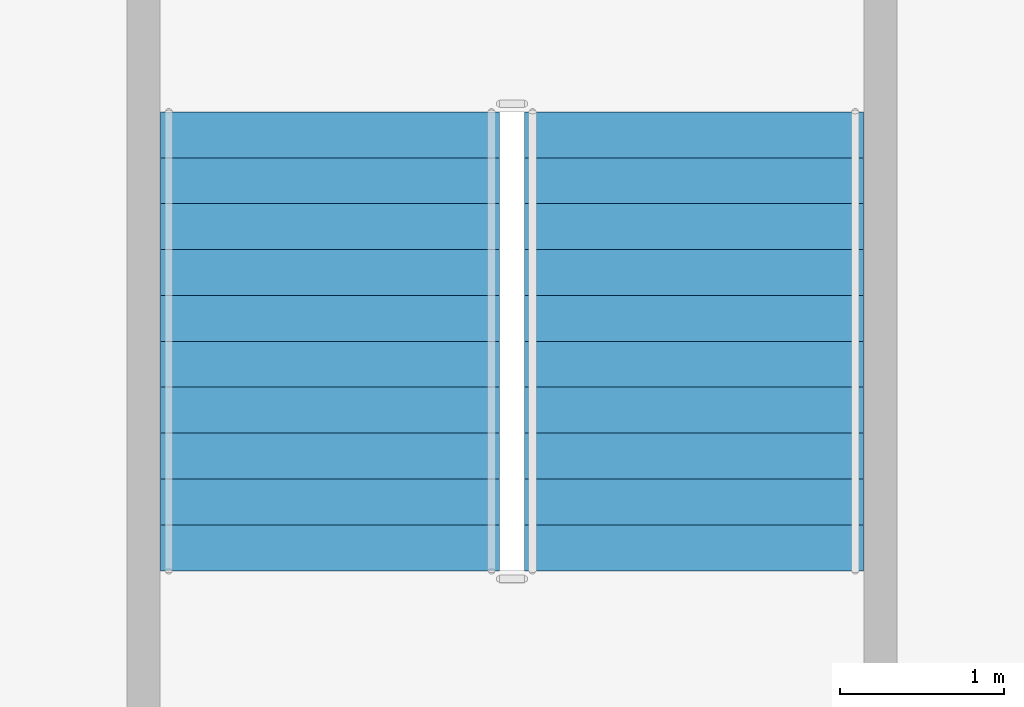
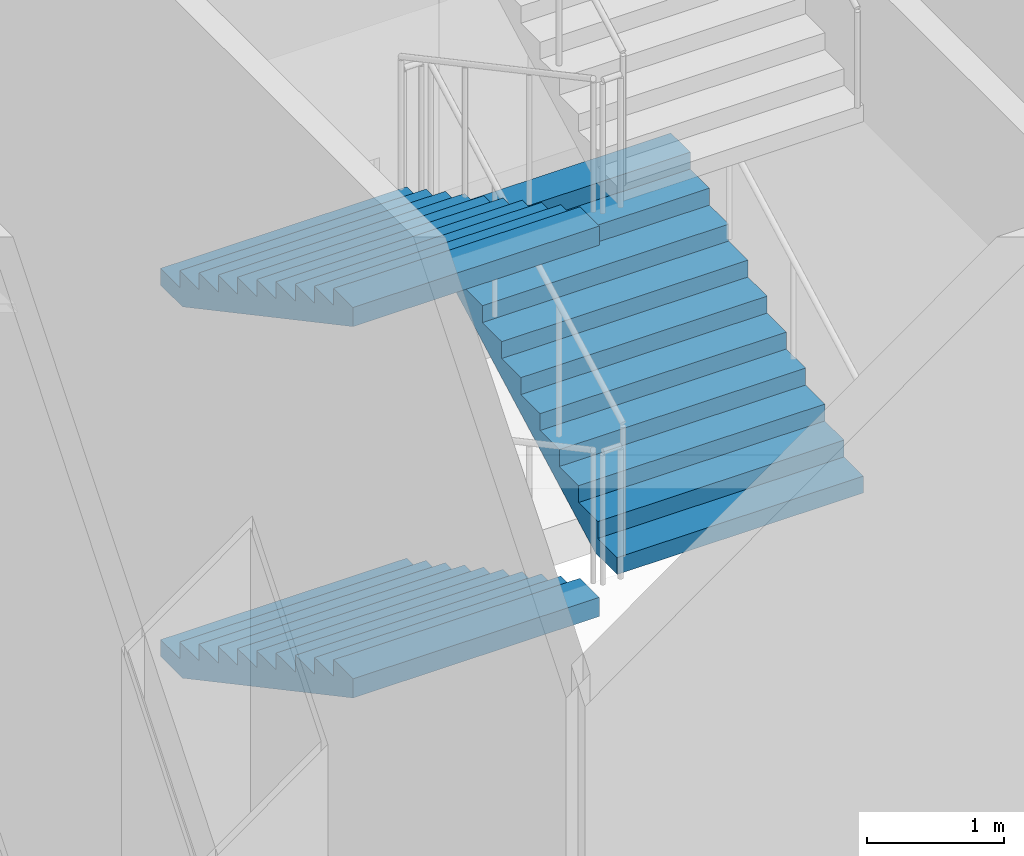
# One storey, part 17 of 26: 3 stair flights, 1 element without a shape of its own.
"""IFC4 building model written with IfcOpenShell, lengths in metres."""

from ifc_helpers import new_model, si_unit, direction, frame, origin, place, context, subcontext, project, spatial, polygons, material, type_object, element, aggregate, save


model = new_model("IFC4")

# Units and contexts
model_context = context("Model", 3, precision=1e-05, world=origin(), true_north=direction((0.0, 1.0)))
body_context = subcontext(model_context, "Body", "Model", "MODEL_VIEW")
ifc_project = project(units=[si_unit("LENGTHUNIT", "METRE"), si_unit("AREAUNIT", "SQUARE_METRE"), si_unit("VOLUMEUNIT", "CUBIC_METRE"), si_unit("PLANEANGLEUNIT", "RADIAN"), si_unit("MASSUNIT", "GRAM", prefix="KILO")], contexts=[model_context])

# Site, building, storey
site_placement = place(None, origin())
site = spatial("IfcSite", under=ifc_project, at=site_placement, CompositionType="ELEMENT")
building_placement = place(site_placement, origin())
building = spatial("IfcBuilding", under=site, at=building_placement, Name="Caravel Reach Hotel and Residences", CompositionType="ELEMENT")
storey_placement = place(building_placement, frame((0.0, 0.0, 17.39990234375)))
storey = spatial("IfcBuildingStorey", under=building, at=storey_placement, Name="L03", CompositionType="ELEMENT", Elevation=17.39990234375)

# Stair, stair flights
ifc_material_1 = material(Name="Concrete C40", Category="concrete")
stair_type = type_object("IfcStairType", Name="Core stair", PredefinedType="HALF_TURN_STAIR", material=ifc_material_1)
stair_placement = place(storey_placement, origin())
stair = element("IfcStair", 1, at=stair_placement, inside=storey, type_object=stair_type, Name="L03 Exit stair P2", PredefinedType="HALF_TURN_STAIR")
ifc_material_2 = material(Name="Concrete C40", Category="concrete")
stair_flight_type = type_object("IfcStairFlightType", Name="Core stair flight", PredefinedType="STRAIGHT", material=ifc_material_2)
stair_flight_1_placement = place(storey_placement, frame((52.889892578125, 41.010009765625, 0.0), z_axis=(0.0, 0.0, 1.0), x_axis=(0.0, -1.0, 0.0)))
stair_flight_1 = element("IfcStairFlight", 2, at=stair_flight_1_placement, type_object=stair_flight_type, Name="ST-P2 flight 1", NumberOfRisers=11, NumberOfTreads=10, PredefinedType="STRAIGHT", RiserHeight=0.15, TreadLength=0.28, context=body_context, shape_type="Tessellation", body=[
    polygons([(0.3174408016601862, 1.0350341796875, 0.0), (0.3174408016601862, 0.6900227864583333, 0.0), (0.3174408016601862, 0.34501139322916663, 0.0), (0.3174408016601862, 0.0, 0.0), (0.3174408016601862, -0.34501139322916674, 0.0), (0.3174408016601862, -0.6900227864583333, 0.0), (0.3174408016601862, -1.0350341796875, 0.0), (2.801, 1.0350341796875, 1.329942427682043), (2.801, 0.6900227864583333, 1.329942427682043), (2.801, 0.34501139322916663, 1.329942427682043), (2.801, 0.0, 1.329942427682043), (2.801, -0.34501139322916674, 1.329942427682043), (2.801, -0.6900227864583333, 1.329942427682043), (2.801, -1.0350341796875, 1.329942427682043), (2.801, 1.0350341796875, 1.5), (2.801, 0.6900227864583333, 1.5), (2.801, 0.34501139322916663, 1.5), (2.801, 0.0, 1.5), (2.801, -0.34501139322916674, 1.5), (2.801, -0.6900227864583333, 1.5), (2.801, -1.0350341796875, 1.5), (2.5200000000000005, 1.0350341796875, 1.5), (2.5200000000000005, 0.6900227864583333, 1.5), (2.5200000000000005, 0.34501139322916663, 1.5), (2.5200000000000005, 0.0, 1.5), (2.5200000000000005, -0.34501139322916674, 1.5), (2.5200000000000005, -0.6900227864583333, 1.5), (2.5200000000000005, -1.0350341796875, 1.5), (2.5200000000000005, 1.0350341796875, 1.3499999999999999), (2.5200000000000005, 0.6900227864583333, 1.3499999999999999), (2.5200000000000005, 0.34501139322916663, 1.3499999999999999), (2.5200000000000005, 0.0, 1.3499999999999999), (2.5200000000000005, -0.34501139322916674, 1.3499999999999999), (2.5200000000000005, -0.6900227864583333, 1.3499999999999999), (2.5200000000000005, -1.0350341796875, 1.3499999999999999), (2.24, 1.0350341796875, 1.3499999999999999), (2.24, 0.6900227864583333, 1.3499999999999999), (2.24, 0.34501139322916663, 1.3499999999999999), (2.24, 0.0, 1.3499999999999999), (2.24, -0.34501139322916674, 1.3499999999999999), (2.24, -0.6900227864583333, 1.3499999999999999), (2.24, -1.0350341796875, 1.3499999999999999), (2.24, 1.0350341796875, 1.2), (2.24, 0.6900227864583333, 1.2), (2.24, 0.34501139322916663, 1.2), (2.24, 0.0, 1.2), (2.24, -0.34501139322916674, 1.2), (2.24, -0.6900227864583333, 1.2), (2.24, -1.0350341796875, 1.2), (1.9600000000000002, 1.0350341796875, 1.2), (1.9600000000000002, 0.6900227864583333, 1.2), (1.9600000000000002, 0.34501139322916663, 1.2), (1.9600000000000002, 0.0, 1.2), (1.9600000000000002, -0.34501139322916674, 1.2), (1.9600000000000002, -0.6900227864583333, 1.2), (1.9600000000000002, -1.0350341796875, 1.2), (1.9600000000000002, 1.0350341796875, 1.05), (1.9600000000000002, 0.6900227864583333, 1.05), (1.9600000000000002, 0.34501139322916663, 1.05), (1.9600000000000002, 0.0, 1.05), (1.9600000000000002, -0.34501139322916674, 1.05), (1.9600000000000002, -0.6900227864583333, 1.05), (1.9600000000000002, -1.0350341796875, 1.05), (1.6800000000000002, 1.0350341796875, 1.05), (1.6800000000000002, 0.6900227864583333, 1.05), (1.6800000000000002, 0.34501139322916663, 1.05), (1.6800000000000002, 0.0, 1.05), (1.6800000000000002, -0.34501139322916674, 1.05), (1.6800000000000002, -0.6900227864583333, 1.05), (1.6800000000000002, -1.0350341796875, 1.05), (1.6800000000000002, 1.0350341796875, 0.8999999999999999), (1.6800000000000002, 0.6900227864583333, 0.8999999999999999), (1.6800000000000002, 0.34501139322916663, 0.8999999999999999), (1.6800000000000002, 0.0, 0.8999999999999999), (1.6800000000000002, -0.34501139322916674, 0.8999999999999999), (1.6800000000000002, -0.6900227864583333, 0.8999999999999999), (1.6800000000000002, -1.0350341796875, 0.8999999999999999), (1.4000000000000001, 1.0350341796875, 0.8999999999999999), (1.4000000000000001, 0.6900227864583333, 0.8999999999999999), (1.4000000000000001, 0.34501139322916663, 0.8999999999999999), (1.4000000000000001, 0.0, 0.8999999999999999), (1.4000000000000001, -0.34501139322916674, 0.8999999999999999), (1.4000000000000001, -0.6900227864583333, 0.8999999999999999), (1.4000000000000001, -1.0350341796875, 0.8999999999999999), (1.4000000000000001, 1.0350341796875, 0.75), (1.4000000000000001, 0.6900227864583333, 0.75), (1.4000000000000001, 0.34501139322916663, 0.75), (1.4000000000000001, 0.0, 0.75), (1.4000000000000001, -0.34501139322916674, 0.75), (1.4000000000000001, -0.6900227864583333, 0.75), (1.4000000000000001, -1.0350341796875, 0.75), (1.12, 1.0350341796875, 0.75), (1.12, 0.6900227864583333, 0.75), (1.12, 0.34501139322916663, 0.75), (1.12, 0.0, 0.75), (1.12, -0.34501139322916674, 0.75), (1.12, -0.6900227864583333, 0.75), (1.12, -1.0350341796875, 0.75), (1.12, 1.0350341796875, 0.6), (1.12, 0.6900227864583333, 0.6), (1.12, 0.34501139322916663, 0.6), (1.12, 0.0, 0.6), (1.12, -0.34501139322916674, 0.6), (1.12, -0.6900227864583333, 0.6), (1.12, -1.0350341796875, 0.6), (0.8400000000000001, 1.0350341796875, 0.6), (0.8400000000000001, 0.6900227864583333, 0.6), (0.8400000000000001, 0.34501139322916663, 0.6), (0.8400000000000001, 0.0, 0.6), (0.8400000000000001, -0.34501139322916674, 0.6), (0.8400000000000001, -0.6900227864583333, 0.6), (0.8400000000000001, -1.0350341796875, 0.6), (0.8400000000000001, 1.0350341796875, 0.44999999999999996), (0.8400000000000001, 0.6900227864583333, 0.44999999999999996), (0.8400000000000001, 0.34501139322916663, 0.44999999999999996), (0.8400000000000001, 0.0, 0.44999999999999996), (0.8400000000000001, -0.34501139322916674, 0.44999999999999996), (0.8400000000000001, -0.6900227864583333, 0.44999999999999996), (0.8400000000000001, -1.0350341796875, 0.44999999999999996), (0.56, 1.0350341796875, 0.44999999999999996), (0.56, 0.6900227864583333, 0.44999999999999996), (0.56, 0.34501139322916663, 0.44999999999999996), (0.56, 0.0, 0.44999999999999996), (0.56, -0.34501139322916674, 0.44999999999999996), (0.56, -0.6900227864583333, 0.44999999999999996), (0.56, -1.0350341796875, 0.44999999999999996), (0.56, 1.0350341796875, 0.3), (0.56, 0.6900227864583333, 0.3), (0.56, 0.34501139322916663, 0.3), (0.56, 0.0, 0.3), (0.56, -0.34501139322916674, 0.3), (0.56, -0.6900227864583333, 0.3), (0.56, -1.0350341796875, 0.3), (0.28, 1.0350341796875, 0.3), (0.28, 0.6900227864583333, 0.3), (0.28, 0.34501139322916663, 0.3), (0.28, 0.0, 0.3), (0.28, -0.34501139322916674, 0.3), (0.28, -0.6900227864583333, 0.3), (0.28, -1.0350341796875, 0.3), (0.28, 1.0350341796875, 0.15), (0.28, 0.6900227864583333, 0.15), (0.28, 0.34501139322916663, 0.15), (0.28, 0.0, 0.15), (0.28, -0.34501139322916674, 0.15), (0.28, -0.6900227864583333, 0.15), (0.28, -1.0350341796875, 0.15), (-0.001, 1.0350341796875, 0.15), (-0.001, 0.6900227864583333, 0.15), (-0.001, 0.34501139322916663, 0.15), (-0.001, 0.0, 0.15), (-0.001, -0.34501139322916674, 0.15), (-0.001, -0.6900227864583333, 0.15), (-0.001, -1.0350341796875, 0.15), (-0.001, 1.0350341796875, 0.0), (-0.001, 0.6900227864583333, 0.0), (-0.001, 0.34501139322916663, 0.0), (-0.001, 0.0, 0.0), (-0.001, -0.34501139322916674, 0.0), (-0.001, -0.6900227864583333, 0.0), (-0.001, -1.0350341796875, 0.0)], [[[155, 148, 141, 134, 127, 120, 113, 106, 99, 92, 85, 78, 71, 64, 57, 50, 43, 36, 29, 22, 15, 8, 1]], [[7, 14, 21, 28, 35, 42, 49, 56, 63, 70, 77, 84, 91, 98, 105, 112, 119, 126, 133, 140, 147, 154, 161]], [[1, 8, 9, 2]], [[2, 9, 10, 3]], [[3, 10, 11, 4]], [[4, 11, 12, 5]], [[5, 12, 13, 6]], [[6, 13, 14, 7]], [[8, 15, 16, 9]], [[9, 16, 17, 10]], [[10, 17, 18, 11]], [[11, 18, 19, 12]], [[12, 19, 20, 13]], [[13, 20, 21, 14]], [[15, 22, 23, 16]], [[16, 23, 24, 17]], [[17, 24, 25, 18]], [[18, 25, 26, 19]], [[19, 26, 27, 20]], [[20, 27, 28, 21]], [[22, 29, 30, 23]], [[23, 30, 31, 24]], [[24, 31, 32, 25]], [[25, 32, 33, 26]], [[26, 33, 34, 27]], [[27, 34, 35, 28]], [[29, 36, 37, 30]], [[30, 37, 38, 31]], [[31, 38, 39, 32]], [[32, 39, 40, 33]], [[33, 40, 41, 34]], [[34, 41, 42, 35]], [[36, 43, 44, 37]], [[37, 44, 45, 38]], [[38, 45, 46, 39]], [[39, 46, 47, 40]], [[40, 47, 48, 41]], [[41, 48, 49, 42]], [[43, 50, 51, 44]], [[44, 51, 52, 45]], [[45, 52, 53, 46]], [[46, 53, 54, 47]], [[47, 54, 55, 48]], [[48, 55, 56, 49]], [[50, 57, 58, 51]], [[51, 58, 59, 52]], [[52, 59, 60, 53]], [[53, 60, 61, 54]], [[54, 61, 62, 55]], [[55, 62, 63, 56]], [[57, 64, 65, 58]], [[58, 65, 66, 59]], [[59, 66, 67, 60]], [[60, 67, 68, 61]], [[61, 68, 69, 62]], [[62, 69, 70, 63]], [[64, 71, 72, 65]], [[65, 72, 73, 66]], [[66, 73, 74, 67]], [[67, 74, 75, 68]], [[68, 75, 76, 69]], [[69, 76, 77, 70]], [[71, 78, 79, 72]], [[72, 79, 80, 73]], [[73, 80, 81, 74]], [[74, 81, 82, 75]], [[75, 82, 83, 76]], [[76, 83, 84, 77]], [[78, 85, 86, 79]], [[79, 86, 87, 80]], [[80, 87, 88, 81]], [[81, 88, 89, 82]], [[82, 89, 90, 83]], [[83, 90, 91, 84]], [[85, 92, 93, 86]], [[86, 93, 94, 87]], [[87, 94, 95, 88]], [[88, 95, 96, 89]], [[89, 96, 97, 90]], [[90, 97, 98, 91]], [[92, 99, 100, 93]], [[93, 100, 101, 94]], [[94, 101, 102, 95]], [[95, 102, 103, 96]], [[96, 103, 104, 97]], [[97, 104, 105, 98]], [[99, 106, 107, 100]], [[100, 107, 108, 101]], [[101, 108, 109, 102]], [[102, 109, 110, 103]], [[103, 110, 111, 104]], [[104, 111, 112, 105]], [[106, 113, 114, 107]], [[107, 114, 115, 108]], [[108, 115, 116, 109]], [[109, 116, 117, 110]], [[110, 117, 118, 111]], [[111, 118, 119, 112]], [[113, 120, 121, 114]], [[114, 121, 122, 115]], [[115, 122, 123, 116]], [[116, 123, 124, 117]], [[117, 124, 125, 118]], [[118, 125, 126, 119]], [[120, 127, 128, 121]], [[121, 128, 129, 122]], [[122, 129, 130, 123]], [[123, 130, 131, 124]], [[124, 131, 132, 125]], [[125, 132, 133, 126]], [[127, 134, 135, 128]], [[128, 135, 136, 129]], [[129, 136, 137, 130]], [[130, 137, 138, 131]], [[131, 138, 139, 132]], [[132, 139, 140, 133]], [[134, 141, 142, 135]], [[135, 142, 143, 136]], [[136, 143, 144, 137]], [[137, 144, 145, 138]], [[138, 145, 146, 139]], [[139, 146, 147, 140]], [[141, 148, 149, 142]], [[142, 149, 150, 143]], [[143, 150, 151, 144]], [[144, 151, 152, 145]], [[145, 152, 153, 146]], [[146, 153, 154, 147]], [[148, 155, 156, 149]], [[149, 156, 157, 150]], [[150, 157, 158, 151]], [[151, 158, 159, 152]], [[152, 159, 160, 153]], [[153, 160, 161, 154]], [[155, 1, 2, 156]], [[156, 2, 3, 157]], [[157, 3, 4, 158]], [[158, 4, 5, 159]], [[159, 5, 6, 160]], [[160, 6, 7, 161]]], closed=True),
])
stair_flight_2_placement = place(storey_placement, frame((55.110107421875, 38.2099609375, 1.650146484375), z_axis=(0.0, 0.0, 1.0), x_axis=(0.0, 1.0, 0.0)))
stair_flight_2 = element("IfcStairFlight", 3, at=stair_flight_2_placement, type_object=stair_flight_type, Name="ST-P2 flight 2", NumberOfRisers=11, NumberOfTreads=10, PredefinedType="STRAIGHT", RiserHeight=0.15, TreadLength=0.28, context=body_context, shape_type="Tessellation", body=[
    polygons([(0.3174408016601862, 1.0350341796875, 0.0), (0.3174408016601862, 0.6900227864583333, 0.0), (0.3174408016601862, 0.34501139322916663, 0.0), (0.3174408016601862, 0.0, 0.0), (0.3174408016601862, -0.34501139322916674, 0.0), (0.3174408016601862, -0.6900227864583333, 0.0), (0.3174408016601862, -1.0350341796875, 0.0), (2.801, 1.0350341796875, 1.329942427682043), (2.801, 0.6900227864583333, 1.329942427682043), (2.801, 0.34501139322916663, 1.329942427682043), (2.801, 0.0, 1.329942427682043), (2.801, -0.34501139322916674, 1.329942427682043), (2.801, -0.6900227864583333, 1.329942427682043), (2.801, -1.0350341796875, 1.329942427682043), (2.801, 1.0350341796875, 1.5), (2.801, 0.6900227864583333, 1.5), (2.801, 0.34501139322916663, 1.5), (2.801, 0.0, 1.5), (2.801, -0.34501139322916674, 1.5), (2.801, -0.6900227864583333, 1.5), (2.801, -1.0350341796875, 1.5), (2.5200000000000005, 1.0350341796875, 1.5), (2.5200000000000005, 0.6900227864583333, 1.5), (2.5200000000000005, 0.34501139322916663, 1.5), (2.5200000000000005, 0.0, 1.5), (2.5200000000000005, -0.34501139322916674, 1.5), (2.5200000000000005, -0.6900227864583333, 1.5), (2.5200000000000005, -1.0350341796875, 1.5), (2.5200000000000005, 1.0350341796875, 1.3499999999999999), (2.5200000000000005, 0.6900227864583333, 1.3499999999999999), (2.5200000000000005, 0.34501139322916663, 1.3499999999999999), (2.5200000000000005, 0.0, 1.3499999999999999), (2.5200000000000005, -0.34501139322916674, 1.3499999999999999), (2.5200000000000005, -0.6900227864583333, 1.3499999999999999), (2.5200000000000005, -1.0350341796875, 1.3499999999999999), (2.24, 1.0350341796875, 1.3499999999999999), (2.24, 0.6900227864583333, 1.3499999999999999), (2.24, 0.34501139322916663, 1.3499999999999999), (2.24, 0.0, 1.3499999999999999), (2.24, -0.34501139322916674, 1.3499999999999999), (2.24, -0.6900227864583333, 1.3499999999999999), (2.24, -1.0350341796875, 1.3499999999999999), (2.24, 1.0350341796875, 1.2), (2.24, 0.6900227864583333, 1.2), (2.24, 0.34501139322916663, 1.2), (2.24, 0.0, 1.2), (2.24, -0.34501139322916674, 1.2), (2.24, -0.6900227864583333, 1.2), (2.24, -1.0350341796875, 1.2), (1.9600000000000002, 1.0350341796875, 1.2), (1.9600000000000002, 0.6900227864583333, 1.2), (1.9600000000000002, 0.34501139322916663, 1.2), (1.9600000000000002, 0.0, 1.2), (1.9600000000000002, -0.34501139322916674, 1.2), (1.9600000000000002, -0.6900227864583333, 1.2), (1.9600000000000002, -1.0350341796875, 1.2), (1.9600000000000002, 1.0350341796875, 1.05), (1.9600000000000002, 0.6900227864583333, 1.05), (1.9600000000000002, 0.34501139322916663, 1.05), (1.9600000000000002, 0.0, 1.05), (1.9600000000000002, -0.34501139322916674, 1.05), (1.9600000000000002, -0.6900227864583333, 1.05), (1.9600000000000002, -1.0350341796875, 1.05), (1.6800000000000002, 1.0350341796875, 1.05), (1.6800000000000002, 0.6900227864583333, 1.05), (1.6800000000000002, 0.34501139322916663, 1.05), (1.6800000000000002, 0.0, 1.05), (1.6800000000000002, -0.34501139322916674, 1.05), (1.6800000000000002, -0.6900227864583333, 1.05), (1.6800000000000002, -1.0350341796875, 1.05), (1.6800000000000002, 1.0350341796875, 0.8999999999999999), (1.6800000000000002, 0.6900227864583333, 0.8999999999999999), (1.6800000000000002, 0.34501139322916663, 0.8999999999999999), (1.6800000000000002, 0.0, 0.8999999999999999), (1.6800000000000002, -0.34501139322916674, 0.8999999999999999), (1.6800000000000002, -0.6900227864583333, 0.8999999999999999), (1.6800000000000002, -1.0350341796875, 0.8999999999999999), (1.4000000000000001, 1.0350341796875, 0.8999999999999999), (1.4000000000000001, 0.6900227864583333, 0.8999999999999999), (1.4000000000000001, 0.34501139322916663, 0.8999999999999999), (1.4000000000000001, 0.0, 0.8999999999999999), (1.4000000000000001, -0.34501139322916674, 0.8999999999999999), (1.4000000000000001, -0.6900227864583333, 0.8999999999999999), (1.4000000000000001, -1.0350341796875, 0.8999999999999999), (1.4000000000000001, 1.0350341796875, 0.75), (1.4000000000000001, 0.6900227864583333, 0.75), (1.4000000000000001, 0.34501139322916663, 0.75), (1.4000000000000001, 0.0, 0.75), (1.4000000000000001, -0.34501139322916674, 0.75), (1.4000000000000001, -0.6900227864583333, 0.75), (1.4000000000000001, -1.0350341796875, 0.75), (1.12, 1.0350341796875, 0.75), (1.12, 0.6900227864583333, 0.75), (1.12, 0.34501139322916663, 0.75), (1.12, 0.0, 0.75), (1.12, -0.34501139322916674, 0.75), (1.12, -0.6900227864583333, 0.75), (1.12, -1.0350341796875, 0.75), (1.12, 1.0350341796875, 0.6), (1.12, 0.6900227864583333, 0.6), (1.12, 0.34501139322916663, 0.6), (1.12, 0.0, 0.6), (1.12, -0.34501139322916674, 0.6), (1.12, -0.6900227864583333, 0.6), (1.12, -1.0350341796875, 0.6), (0.8400000000000001, 1.0350341796875, 0.6), (0.8400000000000001, 0.6900227864583333, 0.6), (0.8400000000000001, 0.34501139322916663, 0.6), (0.8400000000000001, 0.0, 0.6), (0.8400000000000001, -0.34501139322916674, 0.6), (0.8400000000000001, -0.6900227864583333, 0.6), (0.8400000000000001, -1.0350341796875, 0.6), (0.8400000000000001, 1.0350341796875, 0.44999999999999996), (0.8400000000000001, 0.6900227864583333, 0.44999999999999996), (0.8400000000000001, 0.34501139322916663, 0.44999999999999996), (0.8400000000000001, 0.0, 0.44999999999999996), (0.8400000000000001, -0.34501139322916674, 0.44999999999999996), (0.8400000000000001, -0.6900227864583333, 0.44999999999999996), (0.8400000000000001, -1.0350341796875, 0.44999999999999996), (0.56, 1.0350341796875, 0.44999999999999996), (0.56, 0.6900227864583333, 0.44999999999999996), (0.56, 0.34501139322916663, 0.44999999999999996), (0.56, 0.0, 0.44999999999999996), (0.56, -0.34501139322916674, 0.44999999999999996), (0.56, -0.6900227864583333, 0.44999999999999996), (0.56, -1.0350341796875, 0.44999999999999996), (0.56, 1.0350341796875, 0.3), (0.56, 0.6900227864583333, 0.3), (0.56, 0.34501139322916663, 0.3), (0.56, 0.0, 0.3), (0.56, -0.34501139322916674, 0.3), (0.56, -0.6900227864583333, 0.3), (0.56, -1.0350341796875, 0.3), (0.28, 1.0350341796875, 0.3), (0.28, 0.6900227864583333, 0.3), (0.28, 0.34501139322916663, 0.3), (0.28, 0.0, 0.3), (0.28, -0.34501139322916674, 0.3), (0.28, -0.6900227864583333, 0.3), (0.28, -1.0350341796875, 0.3), (0.28, 1.0350341796875, 0.15), (0.28, 0.6900227864583333, 0.15), (0.28, 0.34501139322916663, 0.15), (0.28, 0.0, 0.15), (0.28, -0.34501139322916674, 0.15), (0.28, -0.6900227864583333, 0.15), (0.28, -1.0350341796875, 0.15), (-0.001, 1.0350341796875, 0.15), (-0.001, 0.6900227864583333, 0.15), (-0.001, 0.34501139322916663, 0.15), (-0.001, 0.0, 0.15), (-0.001, -0.34501139322916674, 0.15), (-0.001, -0.6900227864583333, 0.15), (-0.001, -1.0350341796875, 0.15), (-0.001, 1.0350341796875, 0.0), (-0.001, 0.6900227864583333, 0.0), (-0.001, 0.34501139322916663, 0.0), (-0.001, 0.0, 0.0), (-0.001, -0.34501139322916674, 0.0), (-0.001, -0.6900227864583333, 0.0), (-0.001, -1.0350341796875, 0.0)], [[[155, 148, 141, 134, 127, 120, 113, 106, 99, 92, 85, 78, 71, 64, 57, 50, 43, 36, 29, 22, 15, 8, 1]], [[7, 14, 21, 28, 35, 42, 49, 56, 63, 70, 77, 84, 91, 98, 105, 112, 119, 126, 133, 140, 147, 154, 161]], [[1, 8, 9, 2]], [[2, 9, 10, 3]], [[3, 10, 11, 4]], [[4, 11, 12, 5]], [[5, 12, 13, 6]], [[6, 13, 14, 7]], [[8, 15, 16, 9]], [[9, 16, 17, 10]], [[10, 17, 18, 11]], [[11, 18, 19, 12]], [[12, 19, 20, 13]], [[13, 20, 21, 14]], [[15, 22, 23, 16]], [[16, 23, 24, 17]], [[17, 24, 25, 18]], [[18, 25, 26, 19]], [[19, 26, 27, 20]], [[20, 27, 28, 21]], [[22, 29, 30, 23]], [[23, 30, 31, 24]], [[24, 31, 32, 25]], [[25, 32, 33, 26]], [[26, 33, 34, 27]], [[27, 34, 35, 28]], [[29, 36, 37, 30]], [[30, 37, 38, 31]], [[31, 38, 39, 32]], [[32, 39, 40, 33]], [[33, 40, 41, 34]], [[34, 41, 42, 35]], [[36, 43, 44, 37]], [[37, 44, 45, 38]], [[38, 45, 46, 39]], [[39, 46, 47, 40]], [[40, 47, 48, 41]], [[41, 48, 49, 42]], [[43, 50, 51, 44]], [[44, 51, 52, 45]], [[45, 52, 53, 46]], [[46, 53, 54, 47]], [[47, 54, 55, 48]], [[48, 55, 56, 49]], [[50, 57, 58, 51]], [[51, 58, 59, 52]], [[52, 59, 60, 53]], [[53, 60, 61, 54]], [[54, 61, 62, 55]], [[55, 62, 63, 56]], [[57, 64, 65, 58]], [[58, 65, 66, 59]], [[59, 66, 67, 60]], [[60, 67, 68, 61]], [[61, 68, 69, 62]], [[62, 69, 70, 63]], [[64, 71, 72, 65]], [[65, 72, 73, 66]], [[66, 73, 74, 67]], [[67, 74, 75, 68]], [[68, 75, 76, 69]], [[69, 76, 77, 70]], [[71, 78, 79, 72]], [[72, 79, 80, 73]], [[73, 80, 81, 74]], [[74, 81, 82, 75]], [[75, 82, 83, 76]], [[76, 83, 84, 77]], [[78, 85, 86, 79]], [[79, 86, 87, 80]], [[80, 87, 88, 81]], [[81, 88, 89, 82]], [[82, 89, 90, 83]], [[83, 90, 91, 84]], [[85, 92, 93, 86]], [[86, 93, 94, 87]], [[87, 94, 95, 88]], [[88, 95, 96, 89]], [[89, 96, 97, 90]], [[90, 97, 98, 91]], [[92, 99, 100, 93]], [[93, 100, 101, 94]], [[94, 101, 102, 95]], [[95, 102, 103, 96]], [[96, 103, 104, 97]], [[97, 104, 105, 98]], [[99, 106, 107, 100]], [[100, 107, 108, 101]], [[101, 108, 109, 102]], [[102, 109, 110, 103]], [[103, 110, 111, 104]], [[104, 111, 112, 105]], [[106, 113, 114, 107]], [[107, 114, 115, 108]], [[108, 115, 116, 109]], [[109, 116, 117, 110]], [[110, 117, 118, 111]], [[111, 118, 119, 112]], [[113, 120, 121, 114]], [[114, 121, 122, 115]], [[115, 122, 123, 116]], [[116, 123, 124, 117]], [[117, 124, 125, 118]], [[118, 125, 126, 119]], [[120, 127, 128, 121]], [[121, 128, 129, 122]], [[122, 129, 130, 123]], [[123, 130, 131, 124]], [[124, 131, 132, 125]], [[125, 132, 133, 126]], [[127, 134, 135, 128]], [[128, 135, 136, 129]], [[129, 136, 137, 130]], [[130, 137, 138, 131]], [[131, 138, 139, 132]], [[132, 139, 140, 133]], [[134, 141, 142, 135]], [[135, 142, 143, 136]], [[136, 143, 144, 137]], [[137, 144, 145, 138]], [[138, 145, 146, 139]], [[139, 146, 147, 140]], [[141, 148, 149, 142]], [[142, 149, 150, 143]], [[143, 150, 151, 144]], [[144, 151, 152, 145]], [[145, 152, 153, 146]], [[146, 153, 154, 147]], [[148, 155, 156, 149]], [[149, 156, 157, 150]], [[150, 157, 158, 151]], [[151, 158, 159, 152]], [[152, 159, 160, 153]], [[153, 160, 161, 154]], [[155, 1, 2, 156]], [[156, 2, 3, 157]], [[157, 3, 4, 158]], [[158, 4, 5, 159]], [[159, 5, 6, 160]], [[160, 6, 7, 161]]], closed=True),
])
stair_flight_3_placement = place(storey_placement, frame((52.889892578125, 41.010009765625, 3.300048828125), z_axis=(0.0, 0.0, 1.0), x_axis=(0.0, -1.0, 0.0)))
stair_flight_3 = element("IfcStairFlight", 4, at=stair_flight_3_placement, type_object=stair_flight_type, Name="ST-P2 flight 3", NumberOfRisers=11, NumberOfTreads=10, PredefinedType="STRAIGHT", RiserHeight=0.15, TreadLength=0.28, context=body_context, shape_type="Tessellation", body=[
    polygons([(0.3174408016601862, 1.0350341796875, 0.0), (0.3174408016601862, 0.6900227864583333, 0.0), (0.3174408016601862, 0.34501139322916663, 0.0), (0.3174408016601862, 0.0, 0.0), (0.3174408016601862, -0.34501139322916674, 0.0), (0.3174408016601862, -0.6900227864583333, 0.0), (0.3174408016601862, -1.0350341796875, 0.0), (2.801, 1.0350341796875, 1.329942427682043), (2.801, 0.6900227864583333, 1.329942427682043), (2.801, 0.34501139322916663, 1.329942427682043), (2.801, 0.0, 1.329942427682043), (2.801, -0.34501139322916674, 1.329942427682043), (2.801, -0.6900227864583333, 1.329942427682043), (2.801, -1.0350341796875, 1.329942427682043), (2.801, 1.0350341796875, 1.5), (2.801, 0.6900227864583333, 1.5), (2.801, 0.34501139322916663, 1.5), (2.801, 0.0, 1.5), (2.801, -0.34501139322916674, 1.5), (2.801, -0.6900227864583333, 1.5), (2.801, -1.0350341796875, 1.5), (2.5200000000000005, 1.0350341796875, 1.5), (2.5200000000000005, 0.6900227864583333, 1.5), (2.5200000000000005, 0.34501139322916663, 1.5), (2.5200000000000005, 0.0, 1.5), (2.5200000000000005, -0.34501139322916674, 1.5), (2.5200000000000005, -0.6900227864583333, 1.5), (2.5200000000000005, -1.0350341796875, 1.5), (2.5200000000000005, 1.0350341796875, 1.3499999999999999), (2.5200000000000005, 0.6900227864583333, 1.3499999999999999), (2.5200000000000005, 0.34501139322916663, 1.3499999999999999), (2.5200000000000005, 0.0, 1.3499999999999999), (2.5200000000000005, -0.34501139322916674, 1.3499999999999999), (2.5200000000000005, -0.6900227864583333, 1.3499999999999999), (2.5200000000000005, -1.0350341796875, 1.3499999999999999), (2.24, 1.0350341796875, 1.3499999999999999), (2.24, 0.6900227864583333, 1.3499999999999999), (2.24, 0.34501139322916663, 1.3499999999999999), (2.24, 0.0, 1.3499999999999999), (2.24, -0.34501139322916674, 1.3499999999999999), (2.24, -0.6900227864583333, 1.3499999999999999), (2.24, -1.0350341796875, 1.3499999999999999), (2.24, 1.0350341796875, 1.2), (2.24, 0.6900227864583333, 1.2), (2.24, 0.34501139322916663, 1.2), (2.24, 0.0, 1.2), (2.24, -0.34501139322916674, 1.2), (2.24, -0.6900227864583333, 1.2), (2.24, -1.0350341796875, 1.2), (1.9600000000000002, 1.0350341796875, 1.2), (1.9600000000000002, 0.6900227864583333, 1.2), (1.9600000000000002, 0.34501139322916663, 1.2), (1.9600000000000002, 0.0, 1.2), (1.9600000000000002, -0.34501139322916674, 1.2), (1.9600000000000002, -0.6900227864583333, 1.2), (1.9600000000000002, -1.0350341796875, 1.2), (1.9600000000000002, 1.0350341796875, 1.05), (1.9600000000000002, 0.6900227864583333, 1.05), (1.9600000000000002, 0.34501139322916663, 1.05), (1.9600000000000002, 0.0, 1.05), (1.9600000000000002, -0.34501139322916674, 1.05), (1.9600000000000002, -0.6900227864583333, 1.05), (1.9600000000000002, -1.0350341796875, 1.05), (1.6800000000000002, 1.0350341796875, 1.05), (1.6800000000000002, 0.6900227864583333, 1.05), (1.6800000000000002, 0.34501139322916663, 1.05), (1.6800000000000002, 0.0, 1.05), (1.6800000000000002, -0.34501139322916674, 1.05), (1.6800000000000002, -0.6900227864583333, 1.05), (1.6800000000000002, -1.0350341796875, 1.05), (1.6800000000000002, 1.0350341796875, 0.8999999999999999), (1.6800000000000002, 0.6900227864583333, 0.8999999999999999), (1.6800000000000002, 0.34501139322916663, 0.8999999999999999), (1.6800000000000002, 0.0, 0.8999999999999999), (1.6800000000000002, -0.34501139322916674, 0.8999999999999999), (1.6800000000000002, -0.6900227864583333, 0.8999999999999999), (1.6800000000000002, -1.0350341796875, 0.8999999999999999), (1.4000000000000001, 1.0350341796875, 0.8999999999999999), (1.4000000000000001, 0.6900227864583333, 0.8999999999999999), (1.4000000000000001, 0.34501139322916663, 0.8999999999999999), (1.4000000000000001, 0.0, 0.8999999999999999), (1.4000000000000001, -0.34501139322916674, 0.8999999999999999), (1.4000000000000001, -0.6900227864583333, 0.8999999999999999), (1.4000000000000001, -1.0350341796875, 0.8999999999999999), (1.4000000000000001, 1.0350341796875, 0.75), (1.4000000000000001, 0.6900227864583333, 0.75), (1.4000000000000001, 0.34501139322916663, 0.75), (1.4000000000000001, 0.0, 0.75), (1.4000000000000001, -0.34501139322916674, 0.75), (1.4000000000000001, -0.6900227864583333, 0.75), (1.4000000000000001, -1.0350341796875, 0.75), (1.12, 1.0350341796875, 0.75), (1.12, 0.6900227864583333, 0.75), (1.12, 0.34501139322916663, 0.75), (1.12, 0.0, 0.75), (1.12, -0.34501139322916674, 0.75), (1.12, -0.6900227864583333, 0.75), (1.12, -1.0350341796875, 0.75), (1.12, 1.0350341796875, 0.6), (1.12, 0.6900227864583333, 0.6), (1.12, 0.34501139322916663, 0.6), (1.12, 0.0, 0.6), (1.12, -0.34501139322916674, 0.6), (1.12, -0.6900227864583333, 0.6), (1.12, -1.0350341796875, 0.6), (0.8400000000000001, 1.0350341796875, 0.6), (0.8400000000000001, 0.6900227864583333, 0.6), (0.8400000000000001, 0.34501139322916663, 0.6), (0.8400000000000001, 0.0, 0.6), (0.8400000000000001, -0.34501139322916674, 0.6), (0.8400000000000001, -0.6900227864583333, 0.6), (0.8400000000000001, -1.0350341796875, 0.6), (0.8400000000000001, 1.0350341796875, 0.44999999999999996), (0.8400000000000001, 0.6900227864583333, 0.44999999999999996), (0.8400000000000001, 0.34501139322916663, 0.44999999999999996), (0.8400000000000001, 0.0, 0.44999999999999996), (0.8400000000000001, -0.34501139322916674, 0.44999999999999996), (0.8400000000000001, -0.6900227864583333, 0.44999999999999996), (0.8400000000000001, -1.0350341796875, 0.44999999999999996), (0.56, 1.0350341796875, 0.44999999999999996), (0.56, 0.6900227864583333, 0.44999999999999996), (0.56, 0.34501139322916663, 0.44999999999999996), (0.56, 0.0, 0.44999999999999996), (0.56, -0.34501139322916674, 0.44999999999999996), (0.56, -0.6900227864583333, 0.44999999999999996), (0.56, -1.0350341796875, 0.44999999999999996), (0.56, 1.0350341796875, 0.3), (0.56, 0.6900227864583333, 0.3), (0.56, 0.34501139322916663, 0.3), (0.56, 0.0, 0.3), (0.56, -0.34501139322916674, 0.3), (0.56, -0.6900227864583333, 0.3), (0.56, -1.0350341796875, 0.3), (0.28, 1.0350341796875, 0.3), (0.28, 0.6900227864583333, 0.3), (0.28, 0.34501139322916663, 0.3), (0.28, 0.0, 0.3), (0.28, -0.34501139322916674, 0.3), (0.28, -0.6900227864583333, 0.3), (0.28, -1.0350341796875, 0.3), (0.28, 1.0350341796875, 0.15), (0.28, 0.6900227864583333, 0.15), (0.28, 0.34501139322916663, 0.15), (0.28, 0.0, 0.15), (0.28, -0.34501139322916674, 0.15), (0.28, -0.6900227864583333, 0.15), (0.28, -1.0350341796875, 0.15), (-0.001, 1.0350341796875, 0.15), (-0.001, 0.6900227864583333, 0.15), (-0.001, 0.34501139322916663, 0.15), (-0.001, 0.0, 0.15), (-0.001, -0.34501139322916674, 0.15), (-0.001, -0.6900227864583333, 0.15), (-0.001, -1.0350341796875, 0.15), (-0.001, 1.0350341796875, 0.0), (-0.001, 0.6900227864583333, 0.0), (-0.001, 0.34501139322916663, 0.0), (-0.001, 0.0, 0.0), (-0.001, -0.34501139322916674, 0.0), (-0.001, -0.6900227864583333, 0.0), (-0.001, -1.0350341796875, 0.0)], [[[155, 148, 141, 134, 127, 120, 113, 106, 99, 92, 85, 78, 71, 64, 57, 50, 43, 36, 29, 22, 15, 8, 1]], [[7, 14, 21, 28, 35, 42, 49, 56, 63, 70, 77, 84, 91, 98, 105, 112, 119, 126, 133, 140, 147, 154, 161]], [[1, 8, 9, 2]], [[2, 9, 10, 3]], [[3, 10, 11, 4]], [[4, 11, 12, 5]], [[5, 12, 13, 6]], [[6, 13, 14, 7]], [[8, 15, 16, 9]], [[9, 16, 17, 10]], [[10, 17, 18, 11]], [[11, 18, 19, 12]], [[12, 19, 20, 13]], [[13, 20, 21, 14]], [[15, 22, 23, 16]], [[16, 23, 24, 17]], [[17, 24, 25, 18]], [[18, 25, 26, 19]], [[19, 26, 27, 20]], [[20, 27, 28, 21]], [[22, 29, 30, 23]], [[23, 30, 31, 24]], [[24, 31, 32, 25]], [[25, 32, 33, 26]], [[26, 33, 34, 27]], [[27, 34, 35, 28]], [[29, 36, 37, 30]], [[30, 37, 38, 31]], [[31, 38, 39, 32]], [[32, 39, 40, 33]], [[33, 40, 41, 34]], [[34, 41, 42, 35]], [[36, 43, 44, 37]], [[37, 44, 45, 38]], [[38, 45, 46, 39]], [[39, 46, 47, 40]], [[40, 47, 48, 41]], [[41, 48, 49, 42]], [[43, 50, 51, 44]], [[44, 51, 52, 45]], [[45, 52, 53, 46]], [[46, 53, 54, 47]], [[47, 54, 55, 48]], [[48, 55, 56, 49]], [[50, 57, 58, 51]], [[51, 58, 59, 52]], [[52, 59, 60, 53]], [[53, 60, 61, 54]], [[54, 61, 62, 55]], [[55, 62, 63, 56]], [[57, 64, 65, 58]], [[58, 65, 66, 59]], [[59, 66, 67, 60]], [[60, 67, 68, 61]], [[61, 68, 69, 62]], [[62, 69, 70, 63]], [[64, 71, 72, 65]], [[65, 72, 73, 66]], [[66, 73, 74, 67]], [[67, 74, 75, 68]], [[68, 75, 76, 69]], [[69, 76, 77, 70]], [[71, 78, 79, 72]], [[72, 79, 80, 73]], [[73, 80, 81, 74]], [[74, 81, 82, 75]], [[75, 82, 83, 76]], [[76, 83, 84, 77]], [[78, 85, 86, 79]], [[79, 86, 87, 80]], [[80, 87, 88, 81]], [[81, 88, 89, 82]], [[82, 89, 90, 83]], [[83, 90, 91, 84]], [[85, 92, 93, 86]], [[86, 93, 94, 87]], [[87, 94, 95, 88]], [[88, 95, 96, 89]], [[89, 96, 97, 90]], [[90, 97, 98, 91]], [[92, 99, 100, 93]], [[93, 100, 101, 94]], [[94, 101, 102, 95]], [[95, 102, 103, 96]], [[96, 103, 104, 97]], [[97, 104, 105, 98]], [[99, 106, 107, 100]], [[100, 107, 108, 101]], [[101, 108, 109, 102]], [[102, 109, 110, 103]], [[103, 110, 111, 104]], [[104, 111, 112, 105]], [[106, 113, 114, 107]], [[107, 114, 115, 108]], [[108, 115, 116, 109]], [[109, 116, 117, 110]], [[110, 117, 118, 111]], [[111, 118, 119, 112]], [[113, 120, 121, 114]], [[114, 121, 122, 115]], [[115, 122, 123, 116]], [[116, 123, 124, 117]], [[117, 124, 125, 118]], [[118, 125, 126, 119]], [[120, 127, 128, 121]], [[121, 128, 129, 122]], [[122, 129, 130, 123]], [[123, 130, 131, 124]], [[124, 131, 132, 125]], [[125, 132, 133, 126]], [[127, 134, 135, 128]], [[128, 135, 136, 129]], [[129, 136, 137, 130]], [[130, 137, 138, 131]], [[131, 138, 139, 132]], [[132, 139, 140, 133]], [[134, 141, 142, 135]], [[135, 142, 143, 136]], [[136, 143, 144, 137]], [[137, 144, 145, 138]], [[138, 145, 146, 139]], [[139, 146, 147, 140]], [[141, 148, 149, 142]], [[142, 149, 150, 143]], [[143, 150, 151, 144]], [[144, 151, 152, 145]], [[145, 152, 153, 146]], [[146, 153, 154, 147]], [[148, 155, 156, 149]], [[149, 156, 157, 150]], [[150, 157, 158, 151]], [[151, 158, 159, 152]], [[152, 159, 160, 153]], [[153, 160, 161, 154]], [[155, 1, 2, 156]], [[156, 2, 3, 157]], [[157, 3, 4, 158]], [[158, 4, 5, 159]], [[159, 5, 6, 160]], [[160, 6, 7, 161]]], closed=True),
])
aggregate(stair, [stair_flight_1, stair_flight_2, stair_flight_3])

save(model, "model.ifc")
